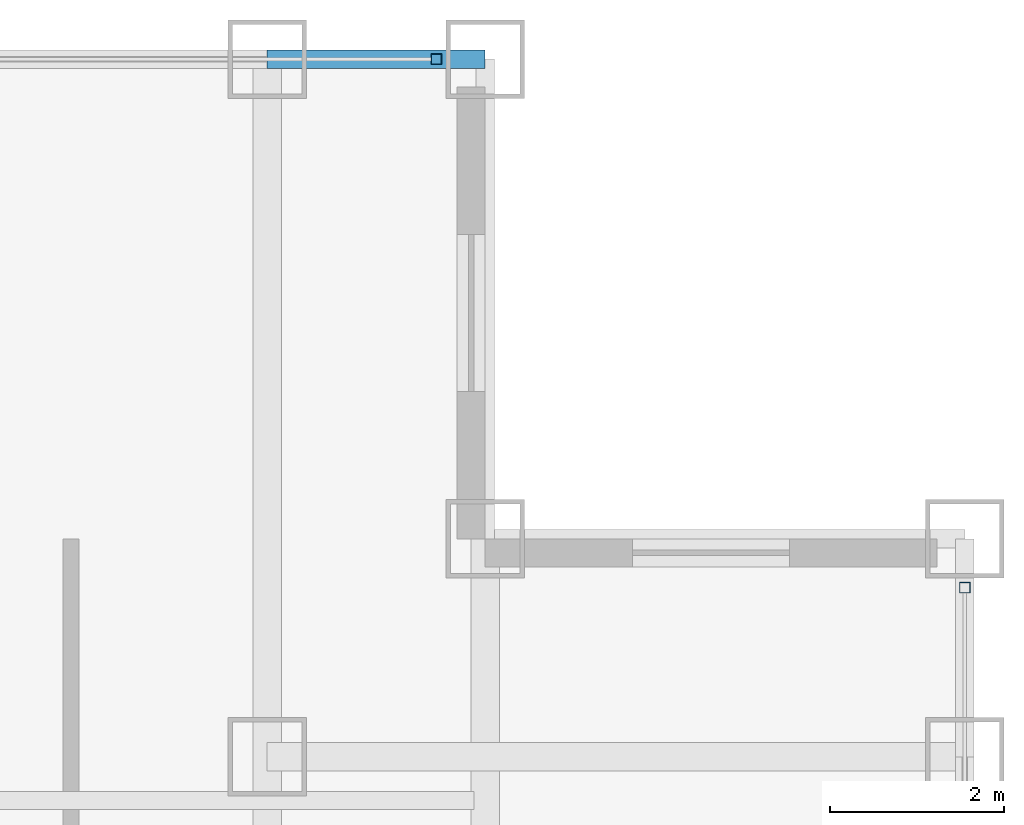
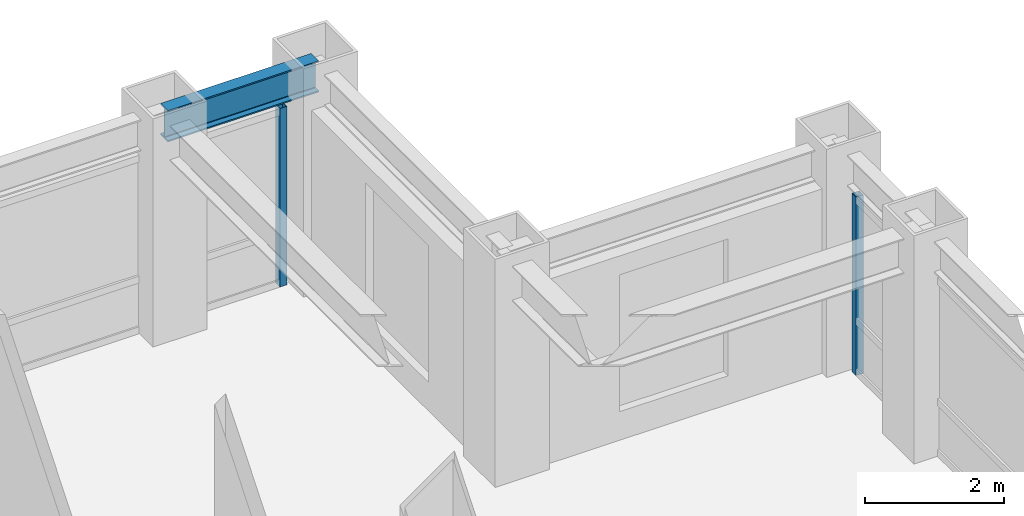
# One storey, part 16 of 22: 2 members, 1 beam, 2 elements without a shape of their own.
"""IFC4 building model written with IfcOpenShell, lengths in metres."""

from ifc_helpers import new_model, si_unit, direction, frame, origin, origin_2d, place, context, subcontext, project, spatial, hollow_rectangle, i_section, extrude, source, transform, mapped, material, material_profile, profile_set, type_object, element, aggregate, save


model = new_model("IFC4")

# Units and contexts
model_context = context("Model", 3, precision=1e-05, world=origin(), true_north=direction((0.0, 1.0)))
body_context = subcontext(model_context, "Body", "Model", "MODEL_VIEW")
ifc_project = project(units=[si_unit("LENGTHUNIT", "METRE"), si_unit("AREAUNIT", "SQUARE_METRE"), si_unit("VOLUMEUNIT", "CUBIC_METRE"), si_unit("PLANEANGLEUNIT", "RADIAN"), si_unit("MASSUNIT", "GRAM", prefix="KILO")], contexts=[model_context])

# Site, building, storey
site_placement = place(None, origin())
site = spatial("IfcSite", under=ifc_project, at=site_placement, CompositionType="ELEMENT")
building_placement = place(site_placement, origin())
building = spatial("IfcBuilding", under=site, at=building_placement, Name="Khorayat Bourse Tower", CompositionType="ELEMENT")
storey_placement = place(building_placement, frame((0.0, 0.0, 293.5)))
storey = spatial("IfcBuildingStorey", under=building, at=storey_placement, Name="L69", CompositionType="ELEMENT", Elevation=293.5)

# Beam
ifc_material_1 = material(Name="Steel ASTM A992 Grade 50", Category="steel")
ifc_material_profile_1 = material_profile(ifc_material_1, i_section(OverallWidth=0.214111328125, OverallDepth=0.549072265625, WebThickness=0.0146484375, FlangeThickness=0.023681640625, FilletRadius=0.013916015625, at=origin_2d()), Name="W530X138")
ifc_profile_set_1 = profile_set([ifc_material_profile_1], Name="Steel ASTM A992 Grade 50")
beam_type = type_object("IfcBeamType", Name="BM-SPAN-530", PredefinedType="SPANDREL", material=ifc_profile_set_1)
shared_shape_1 = source(origin(), body_context, "Body", "SweptSolid", [
    extrude(i_section(OverallWidth=0.214111328125, OverallDepth=0.549072265625, WebThickness=0.0146484375, FlangeThickness=0.023681640625, FilletRadius=0.013916015625, at=origin_2d()), origin(), (0.0, 0.0, 1.0), 2.5),
])
beam_placement = place(storey_placement, frame((20.0, 28.0, 3.505615234375), z_axis=(1.0, 0.0, 0.0), x_axis=(0.0, 1.0, 0.0)))
element("IfcBeam", 1, at=beam_placement, inside=storey, type_object=beam_type, Name="L69 BM-SPAN-530 BM-L69-SPN-044", PredefinedType="SPANDREL", context=body_context, shape_type="MappedRepresentation", body=[
    mapped(shared_shape_1, transform((0.0, 0.0, 0.0), scale=1.0)),
])

# Curtain wall, member
ifc_material_2 = material(Name="Aluminium EN AW-6063 T6", Category="aluminium")
curtain_wall_type = type_object("IfcCurtainWallType", Name="CW-SYS-04", PredefinedType="NOTDEFINED", material=ifc_material_2)
curtain_wall_1_placement = place(storey_placement, origin())
curtain_wall_1 = element("IfcCurtainWall", 2, at=curtain_wall_1_placement, inside=storey, type_object=curtain_wall_type, Name="L69 Curtain Wall CW-L69-N1", PredefinedType="NOTDEFINED")
ifc_material_profile_2 = material_profile(ifc_material_2, hollow_rectangle(XDim=0.1201171875, YDim=0.1201171875, WallThickness=0.0048828125, at=origin_2d()), Name="ALU 120x120x5")
ifc_profile_set_2 = profile_set([ifc_material_profile_2], Name="Aluminium EN AW-6063 T6")
member_type = type_object("IfcMemberType", Name="CWM-VERT-120", PredefinedType="MULLION", material=ifc_profile_set_2)
shared_shape_2 = source(origin(), body_context, "Body", "SweptSolid", [
    extrude(hollow_rectangle(XDim=0.1201171875, YDim=0.1201171875, WallThickness=0.0048828125, at=origin_2d()), origin(), (0.0, 0.0, 1.0), 3.1298828125),
])
member_1_placement = place(storey_placement, frame((21.93994140625, 28.0, 0.0), z_axis=(0.0, 0.0, 1.0), x_axis=(0.0, 1.0, 0.0)))
member_1 = element("IfcMember", 3, at=member_1_placement, type_object=member_type, Name="CW-L69-N1 Vertical Mullion 3", PredefinedType="MULLION", context=body_context, shape_type="MappedRepresentation", body=[
    mapped(shared_shape_2, transform((0.0, 0.0, 0.0), scale=1.0)),
])
aggregate(curtain_wall_1, [member_1])

curtain_wall_2_placement = place(storey_placement, origin())
curtain_wall_2 = element("IfcCurtainWall", 4, at=curtain_wall_2_placement, inside=storey, type_object=curtain_wall_type, Name="L69 Curtain Wall CW-L69-E1", PredefinedType="NOTDEFINED")
member_2_placement = place(storey_placement, frame((28.0, 21.93994140625, 0.0), z_axis=(0.0, 0.0, 1.0), x_axis=(-1.0, 0.0, 0.0)))
member_2 = element("IfcMember", 5, at=member_2_placement, type_object=member_type, Name="CW-L69-E1 Vertical Mullion 3", PredefinedType="MULLION", context=body_context, shape_type="MappedRepresentation", body=[
    mapped(shared_shape_2, transform((0.0, 0.0, 0.0), scale=1.0)),
])
aggregate(curtain_wall_2, [member_2])

save(model, "model.ifc")
